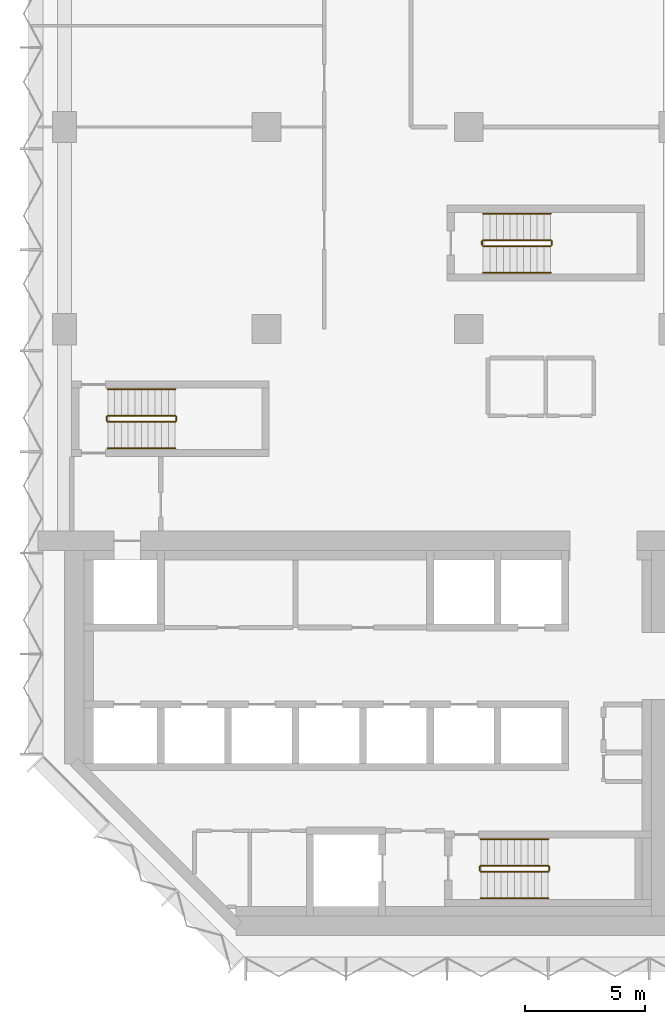
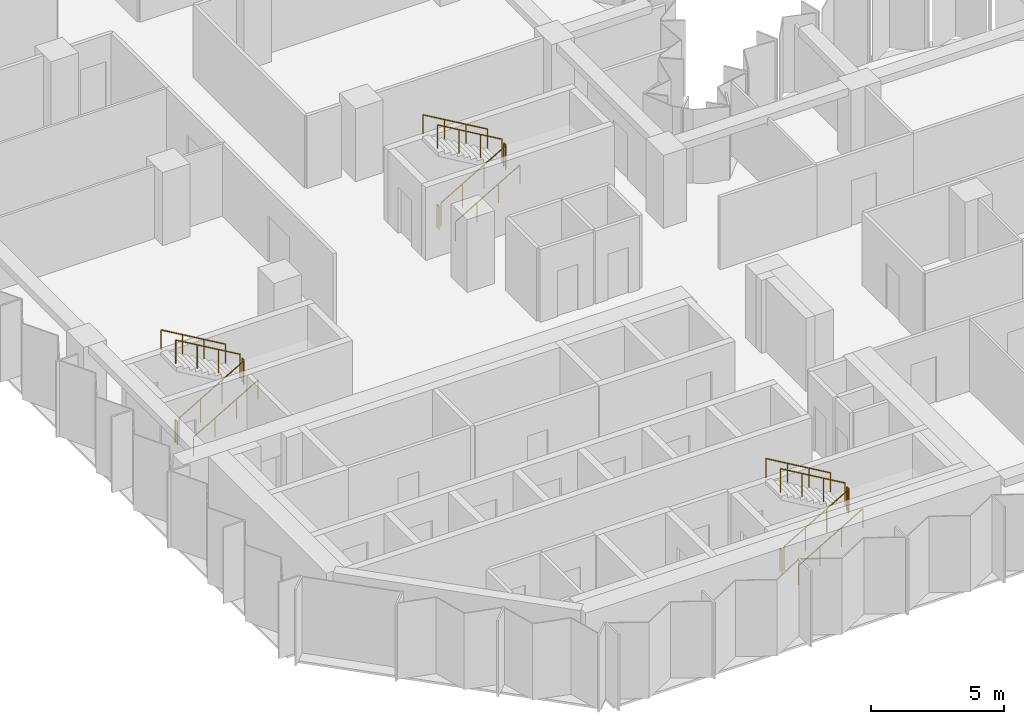
# One storey, part 12 of 13: 18 railings.
"""IFC4 building model written with IfcOpenShell, lengths in metres."""

import ifcopenshell
import ifcopenshell.guid

model = None  # the IFC model being written
_history = None  # IfcOwnerHistory: only IFC2X3 demands one
_inside = {}  # id of a spatial element -> (the spatial element, [elements in it])
_under = {}  # id of a project, library or spatial element -> (it, [spatial elements below it])
_declared = {}  # id of a project -> (the project, [libraries it declares])
_typed = {}  # id of a type object -> (the type object, [elements of that type])
_made_of = {}  # id of a material, layer set ... -> (it, [elements and type objects made of it])


def new_model(schema):
    """Start an empty IFC model of exactly this schema.

    Asked for "IFC4X3", IfcOpenShell would pick the latest addendum, in which some entities
    have other attributes; the version numbers below select the first issue.
    IFC2X3 requires an IfcOwnerHistory on every rooted entity: one is made here for all.
    """
    global model, _history
    if schema == "IFC4X3":
        model = ifcopenshell.file(schema_version=(4, 3, 0, 0))
    else:
        model = ifcopenshell.file(schema=schema)
    _inside.clear()
    _under.clear()
    _declared.clear()
    _typed.clear()
    _made_of.clear()
    _history = None
    if model.schema == "IFC2X3":
        org = make("IfcOrganization", Name="unknown")
        user = make(
            "IfcPersonAndOrganization",
            ThePerson=make("IfcPerson", FamilyName="unknown"),
            TheOrganization=org,
        )
        app = make(
            "IfcApplication",
            ApplicationDeveloper=org,
            Version="unknown",
            ApplicationFullName="unknown",
            ApplicationIdentifier="unknown",
        )
        _history = make(
            "IfcOwnerHistory",
            OwningUser=user,
            OwningApplication=app,
            ChangeAction="ADDED",
            CreationDate=0,
        )
    return model


def make(cls, **values):
    """One entity of the class cls with the attributes given. An attribute that is None is left unset."""
    return model.create_entity(
        cls, **{name: value for name, value in values.items() if value is not None}
    )


def rooted(cls, **values):
    """An entity with a GlobalId (a new one), such as an element, a storey or a relation."""
    return make(cls, GlobalId=ifcopenshell.guid.new(), OwnerHistory=_history, **values)


def si_unit(unit_type, name, prefix=None):
    """IfcSIUnit, for example si_unit("LENGTHUNIT", "METRE", prefix="MILLI")."""
    return make("IfcSIUnit", UnitType=unit_type, Prefix=prefix, Name=name)


def assignment(units):
    """IfcUnitAssignment: the units of a project."""
    return None if units is None else make("IfcUnitAssignment", Units=units)


def point(xyz):
    """IfcCartesianPoint."""
    return None if xyz is None else make("IfcCartesianPoint", Coordinates=xyz)


def direction(xyz):
    """IfcDirection."""
    return None if xyz is None else make("IfcDirection", DirectionRatios=xyz)


def frame(location, z_axis=None, x_axis=None):
    """IfcAxis2Placement3D, a coordinate frame: its origin and axes. An axis left out is left unset."""
    return make(
        "IfcAxis2Placement3D",
        Location=point(location),
        Axis=direction(z_axis),
        RefDirection=direction(x_axis),
    )


def frame_2d(location, x_axis=None):
    """IfcAxis2Placement2D, a coordinate frame in the plane: its origin and x axis."""
    return make(
        "IfcAxis2Placement2D", Location=point(location), RefDirection=direction(x_axis)
    )


def origin():
    """The frame at (0, 0, 0) with its axes left unset."""
    return frame((0.0, 0.0, 0.0))


def origin_2d():
    """The frame at (0, 0) in the plane with its x axis left unset."""
    return frame_2d((0.0, 0.0))


def place(relative_to, where):
    """IfcLocalPlacement: puts the frame where relative to a parent placement (None: the world)."""
    return make(
        "IfcLocalPlacement", PlacementRelTo=relative_to, RelativePlacement=where
    )


def context(
    kind, dimensions, precision=None, world=None, true_north=None, identifier=None
):
    """IfcGeometricRepresentationContext, for example the 3D "Model" context."""
    return make(
        "IfcGeometricRepresentationContext",
        ContextIdentifier=identifier,
        ContextType=kind,
        CoordinateSpaceDimension=dimensions,
        Precision=precision,
        WorldCoordinateSystem=world,
        TrueNorth=true_north,
    )


def subcontext(parent, identifier, kind, view, scale=None):
    """IfcGeometricRepresentationSubContext, for example "Body" below "Model"."""
    return make(
        "IfcGeometricRepresentationSubContext",
        ContextIdentifier=identifier,
        ContextType=kind,
        ParentContext=parent,
        TargetScale=scale,
        TargetView=view,
    )


def project(units=None, contexts=None):
    """IfcProject with its units and contexts."""
    return rooted(
        "IfcProject",
        Name="project",
        RepresentationContexts=contexts,
        UnitsInContext=assignment(units),
    )


def spatial(cls, under=None, at=None, **own):
    """A site, building, storey or space (cls), placed at a placement, below another one or the project."""
    s = rooted(cls, ObjectPlacement=at, **own)
    if under is not None:
        _under.setdefault(under.id(), (under, []))[1].append(s)
    return s


def profile(cls, at=None, kind="AREA", **sizes):
    """A parametric profile (cls). Its sizes go by their IFC names, for example OverallWidth=200.0."""
    return make(cls, ProfileType=kind, Position=at, **sizes)


def circle(**sizes):
    """IfcCircleProfileDef."""
    return profile("IfcCircleProfileDef", **sizes)


def extrude(swept, where, along, depth):
    """IfcExtrudedAreaSolid: the profile swept, set in the frame where, extruded along a direction by depth."""
    return make(
        "IfcExtrudedAreaSolid",
        SweptArea=swept,
        Position=where,
        ExtrudedDirection=direction(along),
        Depth=depth,
    )


def shape(context_of_items, identifier, shape_type, items):
    """IfcShapeRepresentation: the items that make up one representation, for example the "Body"."""
    return make(
        "IfcShapeRepresentation",
        ContextOfItems=context_of_items,
        RepresentationIdentifier=identifier,
        RepresentationType=shape_type,
        Items=items,
    )


def material(Name=None, Category=None):
    """IfcMaterial."""
    return make("IfcMaterial", Name=Name, Category=Category)


def made_of(thing, what):
    """Note that an element or type object is made of a material, layer set ...; save() writes the relation."""
    if what is not None:
        _made_of.setdefault(what.id(), (what, []))[1].append(thing)
    return thing


def type_object(cls, material=None, **own):
    """A type object (cls), such as IfcWallType, which elements share."""
    return made_of(rooted(cls, **own), material)


def element(
    cls,
    number,
    at=None,
    inside=None,
    cuts=None,
    type_object=None,
    material=None,
    context=None,
    identifier="Body",
    shape_type=None,
    held_by="IfcProductDefinitionShape",
    body=None,
    shapes=None,
    **own,
):
    """One element of the class cls, such as IfcWall. Its Tag is "e" and its number.

    at: its placement. inside: the storey or other place that contains it. cuts: it is an
    opening in that element (IfcRelVoidsElement). A single representation is given by context,
    identifier, shape_type and body (its items); several are given by shapes. held_by: the class
    of the entity that holds the representations. save() writes the other relations.
    """
    e = rooted(cls, Tag="e%d" % number, ObjectPlacement=at, **own)
    if body is not None:
        shapes = [shape(context, identifier, shape_type, body)]
    if shapes is not None:
        e.Representation = make(held_by, Representations=shapes)
    if inside is not None:
        _inside.setdefault(inside.id(), (inside, []))[1].append(e)
    if cuts is not None:
        rooted(
            "IfcRelVoidsElement", RelatingBuildingElement=cuts, RelatedOpeningElement=e
        )
    if type_object is not None:
        _typed.setdefault(type_object.id(), (type_object, []))[1].append(e)
    return made_of(e, material)


def aggregate(whole, parts):
    """IfcRelAggregates: a whole, such as a stair, and the parts it consists of."""
    return rooted("IfcRelAggregates", RelatingObject=whole, RelatedObjects=parts)


def save(model, path):
    """Write the relations noted so far, then the file.

    IfcRelAggregates (storeys below a building ...), IfcRelContainedInSpatialStructure (elements
    in a storey), IfcRelDefinesByType, IfcRelAssociatesMaterial and IfcRelDeclares: one each for
    every whole, place, type object, material and project.
    """
    for whole, parts in _under.values():
        aggregate(whole, parts)
    for where, things in _inside.values():
        rooted(
            "IfcRelContainedInSpatialStructure",
            RelatedElements=things,
            RelatingStructure=where,
        )
    for kind, things in _typed.values():
        rooted("IfcRelDefinesByType", RelatedObjects=things, RelatingType=kind)
    for what, things in _made_of.values():
        rooted("IfcRelAssociatesMaterial", RelatedObjects=things, RelatingMaterial=what)
    for by, libraries in _declared.values():
        rooted("IfcRelDeclares", RelatingContext=by, RelatedDefinitions=libraries)
    model.write(path)


model = new_model("IFC4")

# Units and contexts
model_context = context("Model", 3, precision=1e-05, world=origin(), true_north=direction((0.0, 1.0)))
body_context = subcontext(model_context, "Body", "Model", "MODEL_VIEW")
ifc_project = project(units=[si_unit("LENGTHUNIT", "METRE"), si_unit("AREAUNIT", "SQUARE_METRE"), si_unit("VOLUMEUNIT", "CUBIC_METRE"), si_unit("PLANEANGLEUNIT", "RADIAN"), si_unit("MASSUNIT", "GRAM", prefix="KILO")], contexts=[model_context])

# Site, building, storey
site_placement = place(None, origin())
site = spatial("IfcSite", under=ifc_project, at=site_placement, CompositionType="ELEMENT")
building_placement = place(site_placement, origin())
building = spatial("IfcBuilding", under=site, at=building_placement, Name="Brevane Broadcast Tower", CompositionType="ELEMENT")
storey_placement = place(building_placement, frame((0.0, 0.0, 127.699951171875)))
storey = spatial("IfcBuildingStorey", under=building, at=storey_placement, Name="L31", CompositionType="ELEMENT", Elevation=127.699951171875)

# Railings
ifc_material = material(Name="Steel S355", Category="steel")
railing_type_1 = type_object("IfcRailingType", Name="Exit stair guard", PredefinedType="GUARDRAIL", material=ifc_material)
railing_1_placement = place(storey_placement, frame((1.800048828125, 21.35009765625, 0.16357421875)))
element("IfcRailing", 1, at=railing_1_placement, inside=storey, type_object=railing_type_1, Name="L31 ST-1 stair guard 1", PredefinedType="GUARDRAIL", context=body_context, shape_type="SweptSolid", body=[
    extrude(circle(Radius=0.02392578125, at=origin_2d()), frame((0.0, 0.0, 1.076171875), z_axis=(0.863360870873, 0.0, 0.504586966384), x_axis=(0.0, 1.0, 0.0)), (0.0, 0.0, 1.0), 3.2431640625),
    extrude(circle(Radius=0.02099609375, at=origin_2d()), origin(), (0.0, 0.0, 1.0), 1.052001953125),
    extrude(circle(Radius=0.02099609375, at=origin_2d()), frame((0.933349609375, 0.0, 0.54541015625)), (0.0, 0.0, 1.0), 1.052001953125),
    extrude(circle(Radius=0.02099609375, at=origin_2d()), frame((1.86669921875, 0.0, 1.091064453125)), (0.0, 0.0, 1.0), 1.052001953125),
    extrude(circle(Radius=0.02099609375, at=origin_2d()), frame((2.800048828125, 0.0, 1.636474609375)), (0.0, 0.0, 1.0), 1.052001953125),
])
railing_2_placement = place(storey_placement, frame((4.64990234375, 21.39990234375, 1.800048828125)))
element("IfcRailing", 2, at=railing_2_placement, inside=storey, type_object=railing_type_1, Name="L31 ST-1 stair guard 2", PredefinedType="GUARDRAIL", context=body_context, shape_type="SweptSolid", body=[
    extrude(circle(Radius=0.02392578125, at=origin_2d()), frame((0.0, 0.0, 1.076171875), z_axis=(0.0, 1.0, 0.0), x_axis=(-1.0, 0.0, 0.0)), (0.0, 0.0, 1.0), 0.150146484375),
    extrude(circle(Radius=0.02099609375, at=origin_2d()), origin(), (0.0, 0.0, 1.0), 1.052001953125),
    extrude(circle(Radius=0.02099609375, at=origin_2d()), frame((0.0, 0.150146484375, 0.0)), (0.0, 0.0, 1.0), 1.052001953125),
])
railing_3_placement = place(storey_placement, frame((4.60009765625, 21.60009765625, 1.963623046875)))
element("IfcRailing", 3, at=railing_3_placement, inside=storey, type_object=railing_type_1, Name="L31 ST-1 stair guard 3", PredefinedType="GUARDRAIL", context=body_context, shape_type="SweptSolid", body=[
    extrude(circle(Radius=0.02392578125, at=origin_2d()), frame((0.0, 0.0, 1.076171875), z_axis=(-0.863360870873, 0.0, 0.504586966384), x_axis=(0.0, -1.0, 0.0)), (0.0, 0.0, 1.0), 3.2431640625),
    extrude(circle(Radius=0.02099609375, at=origin_2d()), origin(), (0.0, 0.0, 1.0), 1.052001953125),
    extrude(circle(Radius=0.02099609375, at=origin_2d()), frame((-0.933349609375, 0.0, 0.54541015625)), (0.0, 0.0, 1.0), 1.052001953125),
    extrude(circle(Radius=0.02099609375, at=origin_2d()), frame((-1.86669921875, 0.0, 1.091064453125)), (0.0, 0.0, 1.0), 1.052001953125),
    extrude(circle(Radius=0.02099609375, at=origin_2d()), frame((-2.800048828125, 0.0, 1.636474609375)), (0.0, 0.0, 1.0), 1.052001953125),
])
railing_4_placement = place(storey_placement, frame((1.75, 21.39990234375, 0.0)))
element("IfcRailing", 4, at=railing_4_placement, inside=storey, type_object=railing_type_1, Name="L31 ST-1 stair guard 4", PredefinedType="GUARDRAIL", context=body_context, shape_type="SweptSolid", body=[
    extrude(circle(Radius=0.02392578125, at=origin_2d()), frame((0.0, 0.0, 1.076171875), z_axis=(0.0, 1.0, 0.0), x_axis=(-1.0, 0.0, 0.0)), (0.0, 0.0, 1.0), 0.150146484375),
    extrude(circle(Radius=0.02099609375, at=origin_2d()), origin(), (0.0, 0.0, 1.0), 1.052001953125),
    extrude(circle(Radius=0.02099609375, at=origin_2d()), frame((0.0, 0.150146484375, 0.0)), (0.0, 0.0, 1.0), 1.052001953125),
])
railing_5_placement = place(storey_placement, frame((17.300048828125, 2.64990234375, 0.16357421875)))
element("IfcRailing", 5, at=railing_5_placement, inside=storey, type_object=railing_type_1, Name="L31 ST-2 stair guard 1", PredefinedType="GUARDRAIL", context=body_context, shape_type="SweptSolid", body=[
    extrude(circle(Radius=0.02392578125, at=origin_2d()), frame((0.0, 0.0, 1.076171875), z_axis=(0.863360870873, 0.0, 0.504586966384), x_axis=(0.0, 1.0, 0.0)), (0.0, 0.0, 1.0), 3.2431640625),
    extrude(circle(Radius=0.02099609375, at=origin_2d()), origin(), (0.0, 0.0, 1.0), 1.052001953125),
    extrude(circle(Radius=0.02099609375, at=origin_2d()), frame((0.933349609375, 0.0, 0.54541015625)), (0.0, 0.0, 1.0), 1.052001953125),
    extrude(circle(Radius=0.02099609375, at=origin_2d()), frame((1.86669921875, 0.0, 1.091064453125)), (0.0, 0.0, 1.0), 1.052001953125),
    extrude(circle(Radius=0.02099609375, at=origin_2d()), frame((2.800048828125, 0.0, 1.636474609375)), (0.0, 0.0, 1.0), 1.052001953125),
])
railing_6_placement = place(storey_placement, frame((20.14990234375, 2.699951171875, 1.800048828125)))
element("IfcRailing", 6, at=railing_6_placement, inside=storey, type_object=railing_type_1, Name="L31 ST-2 stair guard 2", PredefinedType="GUARDRAIL", context=body_context, shape_type="SweptSolid", body=[
    extrude(circle(Radius=0.02392578125, at=origin_2d()), frame((0.0, 0.0, 1.076171875), z_axis=(0.0, 1.0, 0.0), x_axis=(-1.0, 0.0, 0.0)), (0.0, 0.0, 1.0), 0.150146484375),
    extrude(circle(Radius=0.02099609375, at=origin_2d()), origin(), (0.0, 0.0, 1.0), 1.052001953125),
    extrude(circle(Radius=0.02099609375, at=origin_2d()), frame((0.0, 0.150146484375, 0.0)), (0.0, 0.0, 1.0), 1.052001953125),
])
railing_7_placement = place(storey_placement, frame((20.10009765625, 2.89990234375, 1.963623046875)))
element("IfcRailing", 7, at=railing_7_placement, inside=storey, type_object=railing_type_1, Name="L31 ST-2 stair guard 3", PredefinedType="GUARDRAIL", context=body_context, shape_type="SweptSolid", body=[
    extrude(circle(Radius=0.02392578125, at=origin_2d()), frame((0.0, 0.0, 1.076171875), z_axis=(-0.863360870873, 0.0, 0.504586966384), x_axis=(0.0, -1.0, 0.0)), (0.0, 0.0, 1.0), 3.2431640625),
    extrude(circle(Radius=0.02099609375, at=origin_2d()), origin(), (0.0, 0.0, 1.0), 1.052001953125),
    extrude(circle(Radius=0.02099609375, at=origin_2d()), frame((-0.933349609375, 0.0, 0.54541015625)), (0.0, 0.0, 1.0), 1.052001953125),
    extrude(circle(Radius=0.02099609375, at=origin_2d()), frame((-1.86669921875, 0.0, 1.091064453125)), (0.0, 0.0, 1.0), 1.052001953125),
    extrude(circle(Radius=0.02099609375, at=origin_2d()), frame((-2.800048828125, 0.0, 1.636474609375)), (0.0, 0.0, 1.0), 1.052001953125),
])
railing_8_placement = place(storey_placement, frame((17.25, 2.699951171875, 0.0)))
element("IfcRailing", 8, at=railing_8_placement, inside=storey, type_object=railing_type_1, Name="L31 ST-2 stair guard 4", PredefinedType="GUARDRAIL", context=body_context, shape_type="SweptSolid", body=[
    extrude(circle(Radius=0.02392578125, at=origin_2d()), frame((0.0, 0.0, 1.076171875), z_axis=(0.0, 1.0, 0.0), x_axis=(-1.0, 0.0, 0.0)), (0.0, 0.0, 1.0), 0.150146484375),
    extrude(circle(Radius=0.02099609375, at=origin_2d()), origin(), (0.0, 0.0, 1.0), 1.052001953125),
    extrude(circle(Radius=0.02099609375, at=origin_2d()), frame((0.0, 0.150146484375, 0.0)), (0.0, 0.0, 1.0), 1.052001953125),
])
railing_9_placement = place(storey_placement, frame((17.39990234375, 28.64990234375, 0.16357421875)))
element("IfcRailing", 9, at=railing_9_placement, inside=storey, type_object=railing_type_1, Name="L31 ST-3 stair guard 1", PredefinedType="GUARDRAIL", context=body_context, shape_type="SweptSolid", body=[
    extrude(circle(Radius=0.02392578125, at=origin_2d()), frame((0.0, 0.0, 1.076171875), z_axis=(0.863360870873, 0.0, 0.504586966384), x_axis=(0.0, 1.0, 0.0)), (0.0, 0.0, 1.0), 3.2431640625),
    extrude(circle(Radius=0.02099609375, at=origin_2d()), origin(), (0.0, 0.0, 1.0), 1.052001953125),
    extrude(circle(Radius=0.02099609375, at=origin_2d()), frame((0.933349609375, 0.0, 0.54541015625)), (0.0, 0.0, 1.0), 1.052001953125),
    extrude(circle(Radius=0.02099609375, at=origin_2d()), frame((1.86669921875, 0.0, 1.091064453125)), (0.0, 0.0, 1.0), 1.052001953125),
    extrude(circle(Radius=0.02099609375, at=origin_2d()), frame((2.800048828125, 0.0, 1.636474609375)), (0.0, 0.0, 1.0), 1.052001953125),
])
railing_10_placement = place(storey_placement, frame((20.25, 28.699951171875, 1.800048828125)))
element("IfcRailing", 10, at=railing_10_placement, inside=storey, type_object=railing_type_1, Name="L31 ST-3 stair guard 2", PredefinedType="GUARDRAIL", context=body_context, shape_type="SweptSolid", body=[
    extrude(circle(Radius=0.02392578125, at=origin_2d()), frame((0.0, 0.0, 1.076171875), z_axis=(0.0, 1.0, 0.0), x_axis=(-1.0, 0.0, 0.0)), (0.0, 0.0, 1.0), 0.150146484375),
    extrude(circle(Radius=0.02099609375, at=origin_2d()), origin(), (0.0, 0.0, 1.0), 1.052001953125),
    extrude(circle(Radius=0.02099609375, at=origin_2d()), frame((0.0, 0.150146484375, 0.0)), (0.0, 0.0, 1.0), 1.052001953125),
])
railing_11_placement = place(storey_placement, frame((20.199951171875, 28.89990234375, 1.963623046875)))
element("IfcRailing", 11, at=railing_11_placement, inside=storey, type_object=railing_type_1, Name="L31 ST-3 stair guard 3", PredefinedType="GUARDRAIL", context=body_context, shape_type="SweptSolid", body=[
    extrude(circle(Radius=0.02392578125, at=origin_2d()), frame((0.0, 0.0, 1.076171875), z_axis=(-0.863360870873, 0.0, 0.504586966384), x_axis=(0.0, -1.0, 0.0)), (0.0, 0.0, 1.0), 3.2431640625),
    extrude(circle(Radius=0.02099609375, at=origin_2d()), origin(), (0.0, 0.0, 1.0), 1.052001953125),
    extrude(circle(Radius=0.02099609375, at=origin_2d()), frame((-0.933349609375, 0.0, 0.54541015625)), (0.0, 0.0, 1.0), 1.052001953125),
    extrude(circle(Radius=0.02099609375, at=origin_2d()), frame((-1.86669921875, 0.0, 1.091064453125)), (0.0, 0.0, 1.0), 1.052001953125),
    extrude(circle(Radius=0.02099609375, at=origin_2d()), frame((-2.800048828125, 0.0, 1.636474609375)), (0.0, 0.0, 1.0), 1.052001953125),
])
railing_12_placement = place(storey_placement, frame((17.35009765625, 28.699951171875, 0.0)))
element("IfcRailing", 12, at=railing_12_placement, inside=storey, type_object=railing_type_1, Name="L31 ST-3 stair guard 4", PredefinedType="GUARDRAIL", context=body_context, shape_type="SweptSolid", body=[
    extrude(circle(Radius=0.02392578125, at=origin_2d()), frame((0.0, 0.0, 1.076171875), z_axis=(0.0, 1.0, 0.0), x_axis=(-1.0, 0.0, 0.0)), (0.0, 0.0, 1.0), 0.150146484375),
    extrude(circle(Radius=0.02099609375, at=origin_2d()), origin(), (0.0, 0.0, 1.0), 1.052001953125),
    extrude(circle(Radius=0.02099609375, at=origin_2d()), frame((0.0, 0.150146484375, 0.0)), (0.0, 0.0, 1.0), 1.052001953125),
])
railing_type_2 = type_object("IfcRailingType", Name="Exit stair handrail", PredefinedType="HANDRAIL", material=ifc_material)
railing_13_placement = place(storey_placement, frame((1.800048828125, 20.25, 0.16357421875)))
element("IfcRailing", 13, at=railing_13_placement, inside=storey, type_object=railing_type_2, Name="L31 ST-1 stair handrail 1", PredefinedType="HANDRAIL", context=body_context, shape_type="SweptSolid", body=[
    extrude(circle(Radius=0.02392578125, at=origin_2d()), frame((0.0, 0.0, 0.8759765625), z_axis=(0.863360870873, 0.0, 0.504586966384), x_axis=(0.0, 1.0, 0.0)), (0.0, 0.0, 1.0), 3.2431640625),
    extrude(circle(Radius=0.02099609375, at=origin_2d()), origin(), (0.0, 0.0, 1.0), 0.851806640625),
    extrude(circle(Radius=0.02099609375, at=origin_2d()), frame((0.933349609375, 0.0, 0.54541015625)), (0.0, 0.0, 1.0), 0.851806640625),
    extrude(circle(Radius=0.02099609375, at=origin_2d()), frame((1.86669921875, 0.0, 1.091064453125)), (0.0, 0.0, 1.0), 0.851806640625),
    extrude(circle(Radius=0.02099609375, at=origin_2d()), frame((2.800048828125, 0.0, 1.636474609375)), (0.0, 0.0, 1.0), 0.851806640625),
])
railing_14_placement = place(storey_placement, frame((4.60009765625, 22.699951171875, 1.963623046875)))
element("IfcRailing", 14, at=railing_14_placement, inside=storey, type_object=railing_type_2, Name="L31 ST-1 stair handrail 2", PredefinedType="HANDRAIL", context=body_context, shape_type="SweptSolid", body=[
    extrude(circle(Radius=0.02392578125, at=origin_2d()), frame((0.0, 0.0, 0.8759765625), z_axis=(-0.863360870873, 0.0, 0.504586966384), x_axis=(0.0, -1.0, 0.0)), (0.0, 0.0, 1.0), 3.2431640625),
    extrude(circle(Radius=0.02099609375, at=origin_2d()), origin(), (0.0, 0.0, 1.0), 0.851806640625),
    extrude(circle(Radius=0.02099609375, at=origin_2d()), frame((-0.933349609375, 0.0, 0.54541015625)), (0.0, 0.0, 1.0), 0.851806640625),
    extrude(circle(Radius=0.02099609375, at=origin_2d()), frame((-1.86669921875, 0.0, 1.091064453125)), (0.0, 0.0, 1.0), 0.851806640625),
    extrude(circle(Radius=0.02099609375, at=origin_2d()), frame((-2.800048828125, 0.0, 1.636474609375)), (0.0, 0.0, 1.0), 0.851806640625),
])
railing_15_placement = place(storey_placement, frame((17.300048828125, 1.550048828125, 0.16357421875)))
element("IfcRailing", 15, at=railing_15_placement, inside=storey, type_object=railing_type_2, Name="L31 ST-2 stair handrail 1", PredefinedType="HANDRAIL", context=body_context, shape_type="SweptSolid", body=[
    extrude(circle(Radius=0.02392578125, at=origin_2d()), frame((0.0, 0.0, 0.8759765625), z_axis=(0.863360870873, 0.0, 0.504586966384), x_axis=(0.0, 1.0, 0.0)), (0.0, 0.0, 1.0), 3.2431640625),
    extrude(circle(Radius=0.02099609375, at=origin_2d()), origin(), (0.0, 0.0, 1.0), 0.851806640625),
    extrude(circle(Radius=0.02099609375, at=origin_2d()), frame((0.933349609375, 0.0, 0.54541015625)), (0.0, 0.0, 1.0), 0.851806640625),
    extrude(circle(Radius=0.02099609375, at=origin_2d()), frame((1.86669921875, 0.0, 1.091064453125)), (0.0, 0.0, 1.0), 0.851806640625),
    extrude(circle(Radius=0.02099609375, at=origin_2d()), frame((2.800048828125, 0.0, 1.636474609375)), (0.0, 0.0, 1.0), 0.851806640625),
])
railing_16_placement = place(storey_placement, frame((20.10009765625, 4.0, 1.963623046875)))
element("IfcRailing", 16, at=railing_16_placement, inside=storey, type_object=railing_type_2, Name="L31 ST-2 stair handrail 2", PredefinedType="HANDRAIL", context=body_context, shape_type="SweptSolid", body=[
    extrude(circle(Radius=0.02392578125, at=origin_2d()), frame((0.0, 0.0, 0.8759765625), z_axis=(-0.863360870873, 0.0, 0.504586966384), x_axis=(0.0, -1.0, 0.0)), (0.0, 0.0, 1.0), 3.2431640625),
    extrude(circle(Radius=0.02099609375, at=origin_2d()), origin(), (0.0, 0.0, 1.0), 0.851806640625),
    extrude(circle(Radius=0.02099609375, at=origin_2d()), frame((-0.933349609375, 0.0, 0.54541015625)), (0.0, 0.0, 1.0), 0.851806640625),
    extrude(circle(Radius=0.02099609375, at=origin_2d()), frame((-1.86669921875, 0.0, 1.091064453125)), (0.0, 0.0, 1.0), 0.851806640625),
    extrude(circle(Radius=0.02099609375, at=origin_2d()), frame((-2.800048828125, 0.0, 1.636474609375)), (0.0, 0.0, 1.0), 0.851806640625),
])
railing_17_placement = place(storey_placement, frame((17.39990234375, 27.550048828125, 0.16357421875)))
element("IfcRailing", 17, at=railing_17_placement, inside=storey, type_object=railing_type_2, Name="L31 ST-3 stair handrail 1", PredefinedType="HANDRAIL", context=body_context, shape_type="SweptSolid", body=[
    extrude(circle(Radius=0.02392578125, at=origin_2d()), frame((0.0, 0.0, 0.8759765625), z_axis=(0.863360870873, 0.0, 0.504586966384), x_axis=(0.0, 1.0, 0.0)), (0.0, 0.0, 1.0), 3.2431640625),
    extrude(circle(Radius=0.02099609375, at=origin_2d()), origin(), (0.0, 0.0, 1.0), 0.851806640625),
    extrude(circle(Radius=0.02099609375, at=origin_2d()), frame((0.933349609375, 0.0, 0.54541015625)), (0.0, 0.0, 1.0), 0.851806640625),
    extrude(circle(Radius=0.02099609375, at=origin_2d()), frame((1.86669921875, 0.0, 1.091064453125)), (0.0, 0.0, 1.0), 0.851806640625),
    extrude(circle(Radius=0.02099609375, at=origin_2d()), frame((2.800048828125, 0.0, 1.636474609375)), (0.0, 0.0, 1.0), 0.851806640625),
])
railing_18_placement = place(storey_placement, frame((20.199951171875, 30.0, 1.963623046875)))
element("IfcRailing", 18, at=railing_18_placement, inside=storey, type_object=railing_type_2, Name="L31 ST-3 stair handrail 2", PredefinedType="HANDRAIL", context=body_context, shape_type="SweptSolid", body=[
    extrude(circle(Radius=0.02392578125, at=origin_2d()), frame((0.0, 0.0, 0.8759765625), z_axis=(-0.863360870873, 0.0, 0.504586966384), x_axis=(0.0, -1.0, 0.0)), (0.0, 0.0, 1.0), 3.2431640625),
    extrude(circle(Radius=0.02099609375, at=origin_2d()), origin(), (0.0, 0.0, 1.0), 0.851806640625),
    extrude(circle(Radius=0.02099609375, at=origin_2d()), frame((-0.933349609375, 0.0, 0.54541015625)), (0.0, 0.0, 1.0), 0.851806640625),
    extrude(circle(Radius=0.02099609375, at=origin_2d()), frame((-1.86669921875, 0.0, 1.091064453125)), (0.0, 0.0, 1.0), 0.851806640625),
    extrude(circle(Radius=0.02099609375, at=origin_2d()), frame((-2.800048828125, 0.0, 1.636474609375)), (0.0, 0.0, 1.0), 0.851806640625),
])

save(model, "model.ifc")
